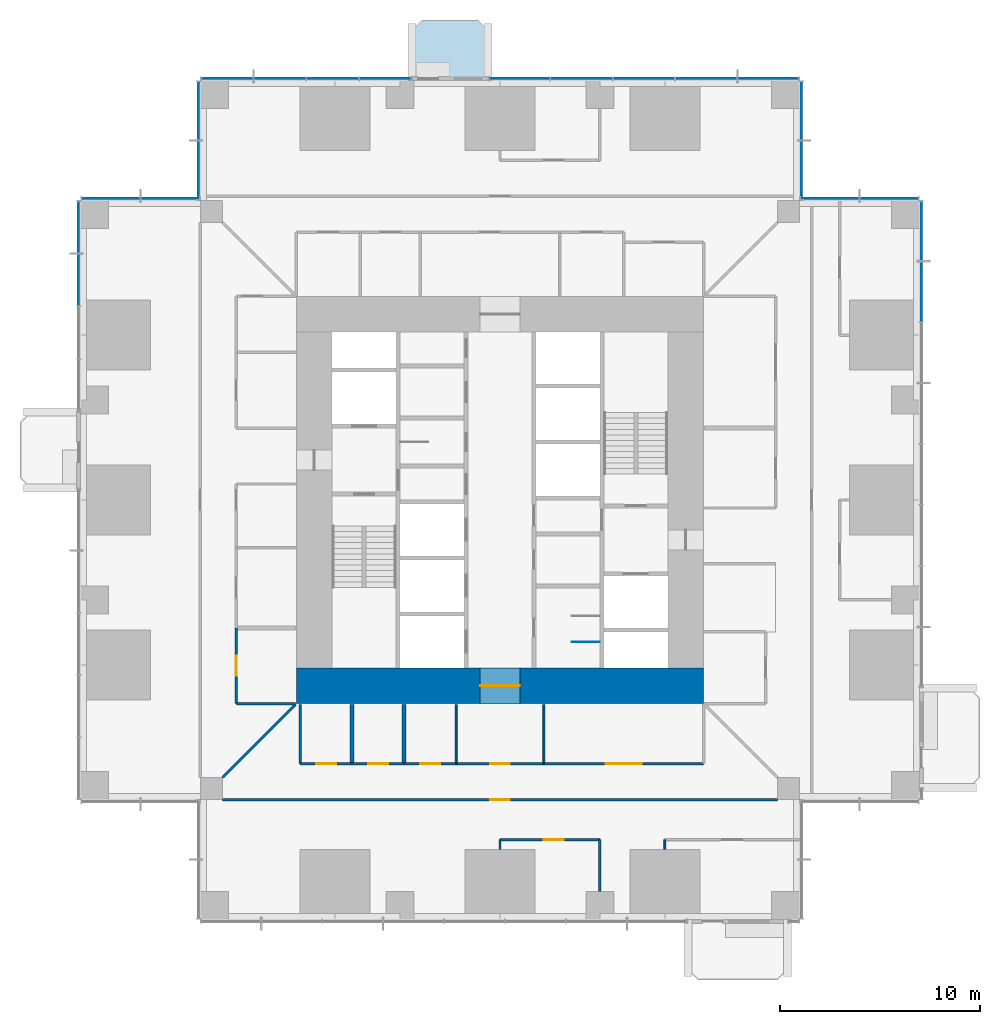
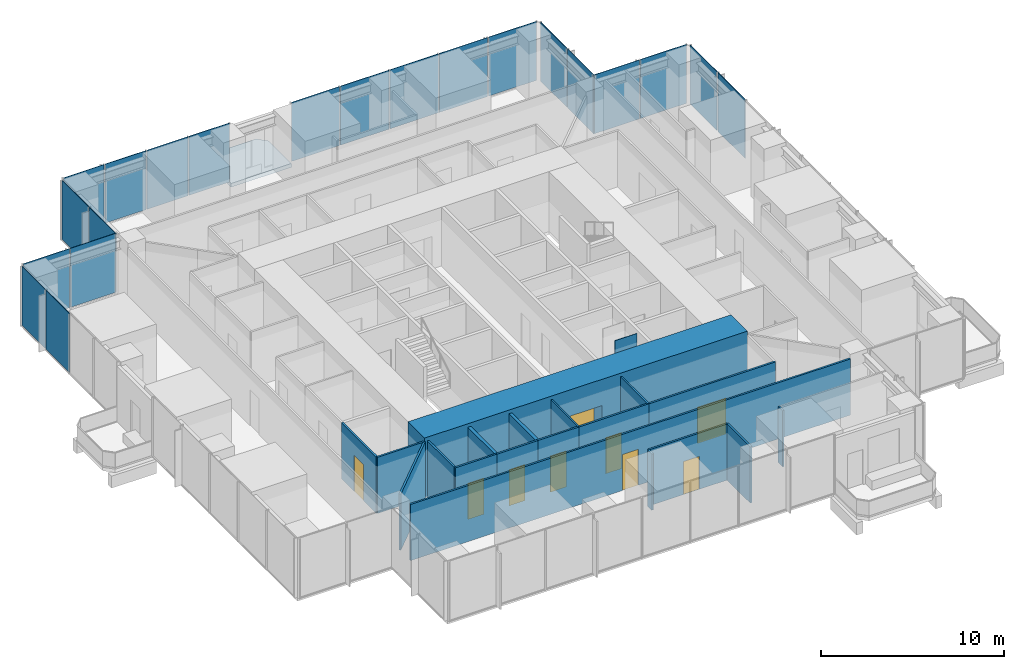
# One storey, part 9 of 15: 21 plates, 20 walls, 9 doors, 1 slab, 9 openings, 8 elements without a shape of their own.
"""IFC4 building model written with IfcOpenShell, lengths in metres."""

from ifc_helpers import new_model, si_unit, direction, frame, frame_2d, origin, origin_2d, place, context, subcontext, project, spatial, polyline, rectangle, outline, extrude, material, layer, layer_set, type_object, element, fill, aggregate, save


model = new_model("IFC4")

# Units and contexts
model_context = context("Model", 3, precision=1e-05, world=origin(), true_north=direction((0.0, 1.0)))
body_context = subcontext(model_context, "Body", "Model", "MODEL_VIEW")
ifc_project = project(units=[si_unit("LENGTHUNIT", "METRE"), si_unit("AREAUNIT", "SQUARE_METRE"), si_unit("VOLUMEUNIT", "CUBIC_METRE"), si_unit("PLANEANGLEUNIT", "RADIAN"), si_unit("MASSUNIT", "GRAM", prefix="KILO")], contexts=[model_context])

# Site, building, storey
site_placement = place(None, origin())
site = spatial("IfcSite", under=ifc_project, at=site_placement, CompositionType="ELEMENT")
building_placement = place(site_placement, origin())
building = spatial("IfcBuilding", under=site, at=building_placement, Name="Svetlomir Tower", CompositionType="ELEMENT")
storey_placement = place(building_placement, frame((0.0, 0.0, 66.5)))
storey = spatial("IfcBuildingStorey", under=building, at=storey_placement, Name="L15", CompositionType="ELEMENT", Elevation=66.5)

# Slab
ifc_material_1 = material(Name="Concrete C60/75", Category="concrete")
ifc_layer_1 = layer(ifc_material_1, 0.25)
ifc_layer_set_1 = layer_set([ifc_layer_1], Name="Concrete C60/75")
slab_type = type_object("IfcSlabType", Name="BALCONY SLAB 250", PredefinedType="FLOOR", material=ifc_layer_set_1)
slab_placement = place(storey_placement, frame((0.0, 0.0, -0.25)))
element("IfcSlab", 1, at=slab_placement, inside=storey, type_object=slab_type, Name="L15 N planted balcony", PredefinedType="FLOOR", context=body_context, shape_type="SweptSolid", body=[
    extrude(outline(polyline([(16.60009765625, 42.0), (20.39990234375, 42.0), (20.39990234375, 44.5), (19.89990234375, 45.0), (17.10009765625, 45.0), (16.60009765625, 44.5), (16.60009765625, 42.0)])), origin(), (0.0, 0.0, 1.0), 0.25),
])

# Curtain wall, plates
ifc_material_2 = material(Name="Bronze anodised aluminium curtain wall", Category="aluminium")
curtain_wall_type = type_object("IfcCurtainWallType", Name="CURTAIN WALL CW1 TOWER OFFICE", PredefinedType="NOTDEFINED", material=ifc_material_2)
curtain_wall_1_placement = place(storey_placement, origin())
curtain_wall_1 = element("IfcCurtainWall", 2, at=curtain_wall_1_placement, inside=storey, type_object=curtain_wall_type, Name="Curtain wall CW1 L15", PredefinedType="NOTDEFINED")
ifc_material_3 = material(Name="Tinted double glazed unit", Category="glass")
ifc_layer_2 = layer(ifc_material_3, 0.031982421875)
ifc_layer_set_2 = layer_set([ifc_layer_2], Name="Tinted double glazed unit")
plate_type = type_object("IfcPlateType", Name="CW1 GLAZED PANEL 32", PredefinedType="CURTAIN_PANEL", material=ifc_layer_set_2)
plate_1_placement = place(storey_placement, frame((42.10009765625, 31.425048828125, 0.06494140625), z_axis=(0.0, 0.0, 1.0), x_axis=(0.0, 1.0, 0.0)))
plate_1 = element("IfcPlate", 3, at=plate_1_placement, type_object=plate_type, Name="CW1 panel 7.1", PredefinedType="CURTAIN_PANEL", context=body_context, shape_type="SweptSolid", body=[
    extrude(rectangle(XDim=2.985107421875, YDim=0.031982421875, at=origin_2d()), origin(), (0.0, 0.0, 1.0), 3.93505859375),
])
plate_2_placement = place(storey_placement, frame((42.10009765625, 34.458740234375, 0.06494140625), z_axis=(0.0, 0.0, 1.0), x_axis=(0.0, 1.0, 0.0)))
plate_2 = element("IfcPlate", 4, at=plate_2_placement, type_object=plate_type, Name="CW1 panel 8.1", PredefinedType="CURTAIN_PANEL", context=body_context, shape_type="SweptSolid", body=[
    extrude(rectangle(XDim=2.952392578125, YDim=0.031982421875, at=origin_2d()), origin(), (0.0, 0.0, 1.0), 3.93505859375),
])
aggregate(curtain_wall_1, [plate_1, plate_2])

curtain_wall_2_placement = place(storey_placement, origin())
curtain_wall_2 = element("IfcCurtainWall", 5, at=curtain_wall_2_placement, inside=storey, type_object=curtain_wall_type, Name="Curtain wall CW1 L15", PredefinedType="NOTDEFINED")
plate_3_placement = place(storey_placement, frame((40.483642578125, 36.10009765625, 0.06494140625), z_axis=(0.0, 0.0, 1.0), x_axis=(-1.0, 0.0, 0.0)))
plate_3 = element("IfcPlate", 6, at=plate_3_placement, type_object=plate_type, Name="CW1 panel 1.1", PredefinedType="CURTAIN_PANEL", context=body_context, shape_type="SweptSolid", body=[
    extrude(rectangle(XDim=2.902587890625, YDim=0.031982421875, at=origin_2d()), origin(), (0.0, 0.0, 1.0), 3.93505859375),
])
plate_4_placement = place(storey_placement, frame((37.516357421875, 36.10009765625, 0.06494140625), z_axis=(0.0, 0.0, 1.0), x_axis=(-1.0, 0.0, 0.0)))
plate_4 = element("IfcPlate", 7, at=plate_4_placement, type_object=plate_type, Name="CW1 panel 2.1", PredefinedType="CURTAIN_PANEL", context=body_context, shape_type="SweptSolid", body=[
    extrude(rectangle(XDim=2.902587890625, YDim=0.031982421875, at=origin_2d()), origin(), (0.0, 0.0, 1.0), 3.93505859375),
])
aggregate(curtain_wall_2, [plate_3, plate_4])

curtain_wall_3_placement = place(storey_placement, origin())
curtain_wall_3 = element("IfcCurtainWall", 8, at=curtain_wall_3_placement, inside=storey, type_object=curtain_wall_type, Name="Curtain wall CW1 L15", PredefinedType="NOTDEFINED")
plate_5_placement = place(storey_placement, frame((36.10009765625, 37.516357421875, 0.06494140625), z_axis=(0.0, 0.0, 1.0), x_axis=(0.0, 1.0, 0.0)))
plate_5 = element("IfcPlate", 9, at=plate_5_placement, type_object=plate_type, Name="CW1 panel 1.1", PredefinedType="CURTAIN_PANEL", context=body_context, shape_type="SweptSolid", body=[
    extrude(rectangle(XDim=2.902587890625, YDim=0.031982421875, at=origin_2d()), origin(), (0.0, 0.0, 1.0), 3.93505859375),
])
plate_6_placement = place(storey_placement, frame((36.10009765625, 40.483642578125, 0.06494140625), z_axis=(0.0, 0.0, 1.0), x_axis=(0.0, 1.0, 0.0)))
plate_6 = element("IfcPlate", 10, at=plate_6_placement, type_object=plate_type, Name="CW1 panel 2.1", PredefinedType="CURTAIN_PANEL", context=body_context, shape_type="SweptSolid", body=[
    extrude(rectangle(XDim=2.902587890625, YDim=0.031982421875, at=origin_2d()), origin(), (0.0, 0.0, 1.0), 3.93505859375),
])
aggregate(curtain_wall_3, [plate_5, plate_6])

curtain_wall_4_placement = place(storey_placement, origin())
curtain_wall_4 = element("IfcCurtainWall", 11, at=curtain_wall_4_placement, inside=storey, type_object=curtain_wall_type, Name="Curtain wall CW1 L15", PredefinedType="NOTDEFINED")
plate_7_placement = place(storey_placement, frame((34.423828125, 42.10009765625, 0.06494140625), z_axis=(0.0, 0.0, 1.0), x_axis=(-1.0, 0.0, 0.0)))
plate_7 = element("IfcPlate", 12, at=plate_7_placement, type_object=plate_type, Name="CW1 panel 1.1", PredefinedType="CURTAIN_PANEL", context=body_context, shape_type="SweptSolid", body=[
    extrude(rectangle(XDim=3.0224609375, YDim=0.031982421875, at=origin_2d()), origin(), (0.0, 0.0, 1.0), 3.93505859375),
])
plate_8_placement = place(storey_placement, frame((31.320068359375, 42.10009765625, 0.06494140625), z_axis=(0.0, 0.0, 1.0), x_axis=(-1.0, 0.0, 0.0)))
plate_8 = element("IfcPlate", 13, at=plate_8_placement, type_object=plate_type, Name="CW1 panel 2.1", PredefinedType="CURTAIN_PANEL", context=body_context, shape_type="SweptSolid", body=[
    extrude(rectangle(XDim=3.054931640625, YDim=0.031982421875, at=origin_2d()), origin(), (0.0, 0.0, 1.0), 3.93505859375),
])
plate_9_placement = place(storey_placement, frame((28.199951171875, 42.10009765625, 0.06494140625), z_axis=(0.0, 0.0, 1.0), x_axis=(-1.0, 0.0, 0.0)))
plate_9 = element("IfcPlate", 14, at=plate_9_placement, type_object=plate_type, Name="CW1 panel 3.1", PredefinedType="CURTAIN_PANEL", context=body_context, shape_type="SweptSolid", body=[
    extrude(rectangle(XDim=3.054931640625, YDim=0.031982421875, at=origin_2d()), origin(), (0.0, 0.0, 1.0), 3.93505859375),
])
plate_10_placement = place(storey_placement, frame((25.080078125, 42.10009765625, 0.06494140625), z_axis=(0.0, 0.0, 1.0), x_axis=(-1.0, 0.0, 0.0)))
plate_10 = element("IfcPlate", 15, at=plate_10_placement, type_object=plate_type, Name="CW1 panel 4.1", PredefinedType="CURTAIN_PANEL", context=body_context, shape_type="SweptSolid", body=[
    extrude(rectangle(XDim=3.054931640625, YDim=0.031982421875, at=origin_2d()), origin(), (0.0, 0.0, 1.0), 3.93505859375),
])
plate_11_placement = place(storey_placement, frame((21.976318359375, 42.10009765625, 0.06494140625), z_axis=(0.0, 0.0, 1.0), x_axis=(-1.0, 0.0, 0.0)))
plate_11 = element("IfcPlate", 16, at=plate_11_placement, type_object=plate_type, Name="CW1 panel 5.1", PredefinedType="CURTAIN_PANEL", context=body_context, shape_type="SweptSolid", body=[
    extrude(rectangle(XDim=3.0224609375, YDim=0.031982421875, at=origin_2d()), origin(), (0.0, 0.0, 1.0), 3.93505859375),
])
aggregate(curtain_wall_4, [plate_7, plate_8, plate_9, plate_10, plate_11])

curtain_wall_5_placement = place(storey_placement, origin())
curtain_wall_5 = element("IfcCurtainWall", 17, at=curtain_wall_5_placement, inside=storey, type_object=curtain_wall_type, Name="Curtain wall CW1 L15", PredefinedType="NOTDEFINED")
plate_12_placement = place(storey_placement, frame((15.2587890625, 42.10009765625, 0.06494140625), z_axis=(0.0, 0.0, 1.0), x_axis=(-1.0, 0.0, 0.0)))
plate_12 = element("IfcPlate", 18, at=plate_12_placement, type_object=plate_type, Name="CW1 panel 1.1", PredefinedType="CURTAIN_PANEL", context=body_context, shape_type="SweptSolid", body=[
    extrude(rectangle(XDim=2.552490234375, YDim=0.031982421875, at=origin_2d()), origin(), (0.0, 0.0, 1.0), 3.93505859375),
])
plate_13_placement = place(storey_placement, frame((12.625, 42.10009765625, 0.06494140625), z_axis=(0.0, 0.0, 1.0), x_axis=(-1.0, 0.0, 0.0)))
plate_13 = element("IfcPlate", 19, at=plate_13_placement, type_object=plate_type, Name="CW1 panel 2.1", PredefinedType="CURTAIN_PANEL", context=body_context, shape_type="SweptSolid", body=[
    extrude(rectangle(XDim=2.5849609375, YDim=0.031982421875, at=origin_2d()), origin(), (0.0, 0.0, 1.0), 3.93505859375),
])
plate_14_placement = place(storey_placement, frame((9.97509765625, 42.10009765625, 0.06494140625), z_axis=(0.0, 0.0, 1.0), x_axis=(-1.0, 0.0, 0.0)))
plate_14 = element("IfcPlate", 20, at=plate_14_placement, type_object=plate_type, Name="CW1 panel 3.1", PredefinedType="CURTAIN_PANEL", context=body_context, shape_type="SweptSolid", body=[
    extrude(rectangle(XDim=2.5849609375, YDim=0.031982421875, at=origin_2d()), origin(), (0.0, 0.0, 1.0), 3.93505859375),
])
plate_15_placement = place(storey_placement, frame((7.34130859375, 42.10009765625, 0.06494140625), z_axis=(0.0, 0.0, 1.0), x_axis=(-1.0, 0.0, 0.0)))
plate_15 = element("IfcPlate", 21, at=plate_15_placement, type_object=plate_type, Name="CW1 panel 4.1", PredefinedType="CURTAIN_PANEL", context=body_context, shape_type="SweptSolid", body=[
    extrude(rectangle(XDim=2.552490234375, YDim=0.031982421875, at=origin_2d()), origin(), (0.0, 0.0, 1.0), 3.93505859375),
])
aggregate(curtain_wall_5, [plate_12, plate_13, plate_14, plate_15])

curtain_wall_6_placement = place(storey_placement, origin())
curtain_wall_6 = element("IfcCurtainWall", 22, at=curtain_wall_6_placement, inside=storey, type_object=curtain_wall_type, Name="Curtain wall CW1 L15", PredefinedType="NOTDEFINED")
plate_16_placement = place(storey_placement, frame((5.89990234375, 40.483642578125, 0.06494140625), z_axis=(0.0, 0.0, 1.0), x_axis=(0.0, -1.0, 0.0)))
plate_16 = element("IfcPlate", 23, at=plate_16_placement, type_object=plate_type, Name="CW1 panel 1.1", PredefinedType="CURTAIN_PANEL", context=body_context, shape_type="SweptSolid", body=[
    extrude(rectangle(XDim=2.902587890625, YDim=0.031982421875, at=origin_2d()), origin(), (0.0, 0.0, 1.0), 3.93505859375),
])
plate_17_placement = place(storey_placement, frame((5.89990234375, 37.516357421875, 0.06494140625), z_axis=(0.0, 0.0, 1.0), x_axis=(0.0, -1.0, 0.0)))
plate_17 = element("IfcPlate", 24, at=plate_17_placement, type_object=plate_type, Name="CW1 panel 2.1", PredefinedType="CURTAIN_PANEL", context=body_context, shape_type="SweptSolid", body=[
    extrude(rectangle(XDim=2.902587890625, YDim=0.031982421875, at=origin_2d()), origin(), (0.0, 0.0, 1.0), 3.93505859375),
])
aggregate(curtain_wall_6, [plate_16, plate_17])

curtain_wall_7_placement = place(storey_placement, origin())
curtain_wall_7 = element("IfcCurtainWall", 25, at=curtain_wall_7_placement, inside=storey, type_object=curtain_wall_type, Name="Curtain wall CW1 L15", PredefinedType="NOTDEFINED")
plate_18_placement = place(storey_placement, frame((4.483642578125, 36.10009765625, 0.06494140625), z_axis=(0.0, 0.0, 1.0), x_axis=(-1.0, 0.0, 0.0)))
plate_18 = element("IfcPlate", 26, at=plate_18_placement, type_object=plate_type, Name="CW1 panel 1.1", PredefinedType="CURTAIN_PANEL", context=body_context, shape_type="SweptSolid", body=[
    extrude(rectangle(XDim=2.902587890625, YDim=0.031982421875, at=origin_2d()), origin(), (0.0, 0.0, 1.0), 3.93505859375),
])
plate_19_placement = place(storey_placement, frame((1.516357421875, 36.10009765625, 0.06494140625), z_axis=(0.0, 0.0, 1.0), x_axis=(-1.0, 0.0, 0.0)))
plate_19 = element("IfcPlate", 27, at=plate_19_placement, type_object=plate_type, Name="CW1 panel 2.1", PredefinedType="CURTAIN_PANEL", context=body_context, shape_type="SweptSolid", body=[
    extrude(rectangle(XDim=2.902587890625, YDim=0.031982421875, at=origin_2d()), origin(), (0.0, 0.0, 1.0), 3.93505859375),
])
aggregate(curtain_wall_7, [plate_18, plate_19])

curtain_wall_8_placement = place(storey_placement, origin())
curtain_wall_8 = element("IfcCurtainWall", 28, at=curtain_wall_8_placement, inside=storey, type_object=curtain_wall_type, Name="Curtain wall CW1 L15", PredefinedType="NOTDEFINED")
plate_20_placement = place(storey_placement, frame((-0.10009765625, 34.65869140625, 0.06494140625), z_axis=(0.0, 0.0, 1.0), x_axis=(0.0, -1.0, 0.0)))
plate_20 = element("IfcPlate", 29, at=plate_20_placement, type_object=plate_type, Name="CW1 panel 1.1", PredefinedType="CURTAIN_PANEL", context=body_context, shape_type="SweptSolid", body=[
    extrude(rectangle(XDim=2.552490234375, YDim=0.031982421875, at=origin_2d()), origin(), (0.0, 0.0, 1.0), 3.93505859375),
])
plate_21_placement = place(storey_placement, frame((-0.10009765625, 32.02490234375, 0.06494140625), z_axis=(0.0, 0.0, 1.0), x_axis=(0.0, -1.0, 0.0)))
plate_21 = element("IfcPlate", 30, at=plate_21_placement, type_object=plate_type, Name="CW1 panel 2.1", PredefinedType="CURTAIN_PANEL", context=body_context, shape_type="SweptSolid", body=[
    extrude(rectangle(XDim=2.5849609375, YDim=0.031982421875, at=origin_2d()), origin(), (0.0, 0.0, 1.0), 3.93505859375),
])
aggregate(curtain_wall_8, [plate_20, plate_21])

# Walls
ifc_material_4 = material(Name="Gypsum board on twin steel studs", Category="steel")
ifc_layer_3 = layer(ifc_material_4, 0.199951171875)
ifc_layer_set_3 = layer_set([ifc_layer_3], Name="Gypsum board on twin steel studs")
wall_type_1 = type_object("IfcWallType", Name="ACOUSTIC PARTITION 200", PredefinedType="PARTITIONING", material=ifc_layer_set_3)
for number, where, z_axis, x_axis, name in (
    (31, (13.60009765625, 7.800048828125, 0.0), (0.0, 0.0, 1.0), (0.0, 1.0, 0.0), "Acoustic partition L15"),
    (32, (16.199951171875, 7.800048828125, 0.0), (0.0, 0.0, 1.0), (0.0, 1.0, 0.0), "Acoustic partition L15"),
):
    element("IfcWall", number, at=place(storey_placement, frame(where, z_axis=z_axis, x_axis=x_axis)), inside=storey, type_object=wall_type_1, Name=name, PredefinedType="PARTITIONING", context=body_context, shape_type="SweptSolid", body=[
        extrude(rectangle(XDim=2.949951171875, YDim=0.199951171875, at=frame_2d((1.47509765625, 0.0))), origin(), (0.0, 0.0, 1.0), 3.75),
    ])

# Wall, opening, door
ifc_material_5 = material(Name="Concrete C60/75", Category="concrete")
ifc_layer_4 = layer(ifc_material_5, 1.800048828125)
ifc_layer_set_4 = layer_set([ifc_layer_4], Name="Concrete C60/75")
wall_type_2 = type_object("IfcWallType", Name="CORE WALL 1800", PredefinedType="SHEAR", material=ifc_layer_set_4)
wall_1_placement = place(storey_placement, frame((10.800048828125, 11.699951171875, -0.050048828125), z_axis=(0.0, 0.0, 1.0), x_axis=(1.0, 0.0, 0.0)))
wall_1 = element("IfcWall", 33, at=wall_1_placement, inside=storey, type_object=wall_type_2, Name="Core wall south L15", PredefinedType="SHEAR", context=body_context, shape_type="SweptSolid", body=[
    extrude(rectangle(XDim=20.39990234375, YDim=1.800048828125, at=frame_2d((10.199951171875, 0.0))), origin(), (0.0, 0.0, 1.0), 4.0),
])
opening_1_placement = place(wall_1_placement, frame((9.199951171875, 0.0, 0.050048828125)))
opening_1 = element("IfcOpeningElement", 34, at=opening_1_placement, cuts=wall_1, Name="Opening DL", PredefinedType="OPENING", context=body_context, shape_type="SweptSolid", body=[
    extrude(rectangle(XDim=2.0, YDim=2.199951171875, at=frame_2d((1.0, 1.10009765625))), frame((0.0, 0.91015625, 0.0), z_axis=(0.0, -1.0, 0.0), x_axis=(1.0, 0.0, 0.0)), (0.0, 0.0, 1.0), 1.820068359375),
])
ifc_material_6 = material(Name="Steel fire door", Category="steel")
door_type_1 = type_object("IfcDoorType", Name="DOOR DL 2000x2200", OperationType="DOUBLE_DOOR_SINGLE_SWING", PredefinedType="DOOR", material=ifc_material_6)
door_1_placement = place(opening_1_placement, origin())
door_1 = element("IfcDoor", 35, at=door_1_placement, inside=storey, type_object=door_type_1, Name="Lift lobby south door L15", OperationType="DOUBLE_DOOR_SINGLE_SWING", OverallHeight=2.199951171875, OverallWidth=2.0, PredefinedType="DOOR", context=body_context, shape_type="SweptSolid", body=[
    extrude(rectangle(XDim=2.0, YDim=2.199951171875, at=frame_2d((1.0, 1.10009765625))), frame((0.0, 0.02490234375, 0.0), z_axis=(0.0, -1.0, 0.0), x_axis=(1.0, 0.0, 0.0)), (0.0, 0.0, 1.0), 0.050048828125),
])
fill(opening_1, door_1)

# Walls
ifc_material_7 = material(Name="Framed laminated glass partition", Category="glass")
ifc_layer_5 = layer(ifc_material_7, 0.10009765625)
ifc_layer_set_5 = layer_set([ifc_layer_5], Name="Framed laminated glass partition")
wall_type_3 = type_object("IfcWallType", Name="GLAZED PARTITION 100", PredefinedType="PARTITIONING", material=ifc_layer_set_5)
for number, where, z_axis, x_axis, name in (
    (36, (18.800048828125, 7.800048828125, 0.0), (0.0, 0.0, 1.0), (0.0, 1.0, 0.0), "Glazed partition L15"),
    (37, (23.199951171875, 7.800048828125, 0.0), (0.0, 0.0, 1.0), (0.0, 1.0, 0.0), "Glazed partition L15"),
):
    element("IfcWall", number, at=place(storey_placement, frame(where, z_axis=z_axis, x_axis=x_axis)), inside=storey, type_object=wall_type_3, Name=name, PredefinedType="PARTITIONING", context=body_context, shape_type="SweptSolid", body=[
        extrude(rectangle(XDim=2.949951171875, YDim=0.10009765625, at=frame_2d((1.47509765625, 0.0))), origin(), (0.0, 0.0, 1.0), 3.75),
    ])
wall_2_placement = place(storey_placement, frame((29.25, 3.510009765625, 0.0), z_axis=(0.0, 0.0, 1.0), x_axis=(0.0, 1.0, 0.0)))
element("IfcWall", 38, at=wall_2_placement, inside=storey, type_object=wall_type_3, Name="Glazed partition L15", PredefinedType="PARTITIONING", context=body_context, shape_type="SweptSolid", body=[
    extrude(rectangle(XDim=0.489990234375, YDim=0.10009765625, at=frame_2d((0.2451171875, 0.0))), origin(), (0.0, 0.0, 1.0), 3.75),
])

# Wall, opening, door
ifc_material_8 = material(Name="Gypsum board on steel studs", Category="steel")
ifc_layer_6 = layer(ifc_material_8, 0.1201171875)
ifc_layer_set_6 = layer_set([ifc_layer_6], Name="Gypsum board on steel studs")
wall_type_4 = type_object("IfcWallType", Name="PARTITION 120", PredefinedType="PARTITIONING", material=ifc_layer_set_6)
wall_3_placement = place(storey_placement, frame((7.110107421875, 6.0, 0.0), z_axis=(0.0, 0.0, 1.0), x_axis=(1.0, 0.0, 0.0)))
wall_3 = element("IfcWall", 39, at=wall_3_placement, inside=storey, type_object=wall_type_4, Name="Partition L15", PredefinedType="PARTITIONING", context=body_context, shape_type="SweptSolid", body=[
    extrude(rectangle(XDim=27.77978515625, YDim=0.1201171875, at=frame_2d((13.889892578125, 0.0))), origin(), (0.0, 0.0, 1.0), 3.75),
])
opening_2_placement = place(wall_3_placement, frame((13.389892578125, 0.0, 0.0)))
opening_2 = element("IfcOpeningElement", 40, at=opening_2_placement, cuts=wall_3, Name="Opening DG", PredefinedType="OPENING", context=body_context, shape_type="SweptSolid", body=[
    extrude(rectangle(XDim=1.0, YDim=2.39990234375, at=frame_2d((0.5, 1.199951171875))), frame((0.0, 0.070068359375, 0.0), z_axis=(0.0, -1.0, 0.0), x_axis=(1.0, 0.0, 0.0)), (0.0, 0.0, 1.0), 0.14013671875),
])
ifc_material_9 = material(Name="Framed laminated glass door", Category="glass")
door_type_2 = type_object("IfcDoorType", Name="GLAZED DOOR DG 1000x2400", OperationType="SINGLE_SWING_LEFT", PredefinedType="DOOR", material=ifc_material_9)
door_2_placement = place(opening_2_placement, origin())
door_2 = element("IfcDoor", 41, at=door_2_placement, inside=storey, type_object=door_type_2, Name="Ring corridor 1 door 1 L15", OperationType="SINGLE_SWING_LEFT", OverallHeight=2.39990234375, OverallWidth=1.0, PredefinedType="DOOR", context=body_context, shape_type="SweptSolid", body=[
    extrude(rectangle(XDim=1.0, YDim=2.39990234375, at=frame_2d((0.5, 1.199951171875))), frame((0.0, 0.02490234375, 0.0), z_axis=(0.0, -1.0, 0.0), x_axis=(1.0, 0.0, 0.0)), (0.0, 0.0, 1.0), 0.050048828125),
])
fill(opening_2, door_2)

# Wall
wall_4_placement = place(storey_placement, frame((7.110107421875, 7.110107421875, 0.0), z_axis=(0.0, 0.0, 1.0), x_axis=(0.707106781187, 0.707106781187, 0.0)))
element("IfcWall", 42, at=wall_4_placement, inside=storey, type_object=wall_type_4, Name="Partition L15", PredefinedType="PARTITIONING", context=body_context, shape_type="SweptSolid", body=[
    extrude(rectangle(XDim=5.168212890625, YDim=0.1201171875, at=frame_2d((2.583984375, 0.0))), origin(), (0.0, 0.0, 1.0), 3.75),
])

# Wall, opening, door
wall_5_placement = place(storey_placement, frame((7.800048828125, 10.800048828125, 0.0), z_axis=(0.0, 0.0, 1.0), x_axis=(0.0, 1.0, 0.0)))
wall_5 = element("IfcWall", 43, at=wall_5_placement, inside=storey, type_object=wall_type_4, Name="Partition L15", PredefinedType="PARTITIONING", context=body_context, shape_type="SweptSolid", body=[
    extrude(rectangle(XDim=3.800048828125, YDim=0.1201171875, at=frame_2d((1.89990234375, 0.0))), origin(), (0.0, 0.0, 1.0), 3.75),
])
opening_3_placement = place(wall_5_placement, frame((1.39990234375, 0.0, 0.0)))
opening_3 = element("IfcOpeningElement", 44, at=opening_3_placement, cuts=wall_5, Name="Opening DG", PredefinedType="OPENING", context=body_context, shape_type="SweptSolid", body=[
    extrude(rectangle(XDim=1.0, YDim=2.39990234375, at=frame_2d((0.5, 1.199951171875))), frame((0.0, 0.070068359375, 0.0), z_axis=(0.0, -1.0, 0.0), x_axis=(1.0, 0.0, 0.0)), (0.0, 0.0, 1.0), 0.14013671875),
])
door_3_placement = place(opening_3_placement, origin())
door_3 = element("IfcDoor", 45, at=door_3_placement, inside=storey, type_object=door_type_2, Name="Counselling room door L15", OperationType="SINGLE_SWING_RIGHT", OverallHeight=2.39990234375, OverallWidth=1.0, PredefinedType="DOOR", context=body_context, shape_type="SweptSolid", body=[
    extrude(rectangle(XDim=1.0, YDim=2.39990234375, at=frame_2d((0.5, 1.199951171875))), frame((0.0, 0.02490234375, 0.0), z_axis=(0.0, -1.0, 0.0), x_axis=(1.0, 0.0, 0.0)), (0.0, 0.0, 1.0), 0.050048828125),
])
fill(opening_3, door_3)

# Walls
for number, where, z_axis, x_axis, name in (
    (46, (7.800048828125, 10.800048828125, 0.0), (0.0, 0.0, 1.0), (1.0, 0.0, 0.0), "Partition L15"),
    (47, (11.0, 7.800048828125, 0.0), (0.0, 0.0, 1.0), (0.0, 1.0, 0.0), "Partition L15"),
):
    element("IfcWall", number, at=place(storey_placement, frame(where, z_axis=z_axis, x_axis=x_axis)), inside=storey, type_object=wall_type_4, Name=name, PredefinedType="PARTITIONING", context=body_context, shape_type="SweptSolid", body=[
        extrude(rectangle(XDim=2.949951171875, YDim=0.1201171875, at=frame_2d((1.47509765625, 0.0))), origin(), (0.0, 0.0, 1.0), 3.75),
    ])

# Wall, opening, door
wall_6_placement = place(storey_placement, frame((11.0, 7.800048828125, 0.0), z_axis=(0.0, 0.0, 1.0), x_axis=(1.0, 0.0, 0.0)))
wall_6 = element("IfcWall", 48, at=wall_6_placement, inside=storey, type_object=wall_type_4, Name="Partition L15", PredefinedType="PARTITIONING", context=body_context, shape_type="SweptSolid", body=[
    extrude(rectangle(XDim=2.60009765625, YDim=0.1201171875, at=frame_2d((1.300048828125, 0.0))), origin(), (0.0, 0.0, 1.0), 3.75),
])
opening_4_placement = place(wall_6_placement, frame((0.800048828125, 0.0, 0.0)))
opening_4 = element("IfcOpeningElement", 49, at=opening_4_placement, cuts=wall_6, Name="Opening DG", PredefinedType="OPENING", context=body_context, shape_type="SweptSolid", body=[
    extrude(rectangle(XDim=1.0, YDim=2.39990234375, at=frame_2d((0.5, 1.199951171875))), frame((0.0, 0.070068359375, 0.0), z_axis=(0.0, -1.0, 0.0), x_axis=(1.0, 0.0, 0.0)), (0.0, 0.0, 1.0), 0.14013671875),
])
door_4_placement = place(opening_4_placement, origin())
door_4 = element("IfcDoor", 50, at=door_4_placement, inside=storey, type_object=door_type_2, Name="Interview room 1 door L15", OperationType="SINGLE_SWING_RIGHT", OverallHeight=2.39990234375, OverallWidth=1.0, PredefinedType="DOOR", context=body_context, shape_type="SweptSolid", body=[
    extrude(rectangle(XDim=1.0, YDim=2.39990234375, at=frame_2d((0.5, 1.199951171875))), frame((0.0, 0.02490234375, 0.0), z_axis=(0.0, -1.0, 0.0), x_axis=(1.0, 0.0, 0.0)), (0.0, 0.0, 1.0), 0.050048828125),
])
fill(opening_4, door_4)

wall_7_placement = place(storey_placement, frame((13.60009765625, 7.800048828125, 0.0), z_axis=(0.0, 0.0, 1.0), x_axis=(1.0, 0.0, 0.0)))
wall_7 = element("IfcWall", 51, at=wall_7_placement, inside=storey, type_object=wall_type_4, Name="Partition L15", PredefinedType="PARTITIONING", context=body_context, shape_type="SweptSolid", body=[
    extrude(rectangle(XDim=2.599853515625, YDim=0.1201171875, at=frame_2d((1.2998046875, 0.0))), origin(), (0.0, 0.0, 1.0), 3.75),
])
opening_5_placement = place(wall_7_placement, frame((0.800048828125, 0.0, 0.0)))
opening_5 = element("IfcOpeningElement", 52, at=opening_5_placement, cuts=wall_7, Name="Opening DG", PredefinedType="OPENING", context=body_context, shape_type="SweptSolid", body=[
    extrude(rectangle(XDim=1.0, YDim=2.39990234375, at=frame_2d((0.5, 1.199951171875))), frame((0.0, 0.070068359375, 0.0), z_axis=(0.0, -1.0, 0.0), x_axis=(1.0, 0.0, 0.0)), (0.0, 0.0, 1.0), 0.14013671875),
])
door_5_placement = place(opening_5_placement, origin())
door_5 = element("IfcDoor", 53, at=door_5_placement, inside=storey, type_object=door_type_2, Name="Interview room 2 door L15", OperationType="SINGLE_SWING_LEFT", OverallHeight=2.39990234375, OverallWidth=1.0, PredefinedType="DOOR", context=body_context, shape_type="SweptSolid", body=[
    extrude(rectangle(XDim=1.0, YDim=2.39990234375, at=frame_2d((0.5, 1.199951171875))), frame((0.0, 0.02490234375, 0.0), z_axis=(0.0, -1.0, 0.0), x_axis=(1.0, 0.0, 0.0)), (0.0, 0.0, 1.0), 0.050048828125),
])
fill(opening_5, door_5)

wall_8_placement = place(storey_placement, frame((16.199951171875, 7.800048828125, 0.0), z_axis=(0.0, 0.0, 1.0), x_axis=(1.0, 0.0, 0.0)))
wall_8 = element("IfcWall", 54, at=wall_8_placement, inside=storey, type_object=wall_type_4, Name="Partition L15", PredefinedType="PARTITIONING", context=body_context, shape_type="SweptSolid", body=[
    extrude(rectangle(XDim=2.60009765625, YDim=0.1201171875, at=frame_2d((1.300048828125, 0.0))), origin(), (0.0, 0.0, 1.0), 3.75),
])
opening_6_placement = place(wall_8_placement, frame((0.800048828125, 0.0, 0.0)))
opening_6 = element("IfcOpeningElement", 55, at=opening_6_placement, cuts=wall_8, Name="Opening DG", PredefinedType="OPENING", context=body_context, shape_type="SweptSolid", body=[
    extrude(rectangle(XDim=1.0, YDim=2.39990234375, at=frame_2d((0.5, 1.199951171875))), frame((0.0, 0.070068359375, 0.0), z_axis=(0.0, -1.0, 0.0), x_axis=(1.0, 0.0, 0.0)), (0.0, 0.0, 1.0), 0.14013671875),
])
door_6_placement = place(opening_6_placement, origin())
door_6 = element("IfcDoor", 56, at=door_6_placement, inside=storey, type_object=door_type_2, Name="Interview room 3 door L15", OperationType="SINGLE_SWING_LEFT", OverallHeight=2.39990234375, OverallWidth=1.0, PredefinedType="DOOR", context=body_context, shape_type="SweptSolid", body=[
    extrude(rectangle(XDim=1.0, YDim=2.39990234375, at=frame_2d((0.5, 1.199951171875))), frame((0.0, 0.02490234375, 0.0), z_axis=(0.0, -1.0, 0.0), x_axis=(1.0, 0.0, 0.0)), (0.0, 0.0, 1.0), 0.050048828125),
])
fill(opening_6, door_6)

wall_9_placement = place(storey_placement, frame((18.800048828125, 7.800048828125, 0.0), z_axis=(0.0, 0.0, 1.0), x_axis=(1.0, 0.0, 0.0)))
wall_9 = element("IfcWall", 57, at=wall_9_placement, inside=storey, type_object=wall_type_4, Name="Partition L15", PredefinedType="PARTITIONING", context=body_context, shape_type="SweptSolid", body=[
    extrude(rectangle(XDim=4.39990234375, YDim=0.1201171875, at=frame_2d((2.199951171875, 0.0))), origin(), (0.0, 0.0, 1.0), 3.75),
])
opening_7_placement = place(wall_9_placement, frame((1.699951171875, 0.0, 0.0)))
opening_7 = element("IfcOpeningElement", 58, at=opening_7_placement, cuts=wall_9, Name="Opening DG", PredefinedType="OPENING", context=body_context, shape_type="SweptSolid", body=[
    extrude(rectangle(XDim=1.0, YDim=2.39990234375, at=frame_2d((0.5, 1.199951171875))), frame((0.0, 0.070068359375, 0.0), z_axis=(0.0, -1.0, 0.0), x_axis=(1.0, 0.0, 0.0)), (0.0, 0.0, 1.0), 0.14013671875),
])
door_7_placement = place(opening_7_placement, origin())
door_7 = element("IfcDoor", 59, at=door_7_placement, inside=storey, type_object=door_type_2, Name="Ring corridor 1 door 2 L15", OperationType="SINGLE_SWING_RIGHT", OverallHeight=2.39990234375, OverallWidth=1.0, PredefinedType="DOOR", context=body_context, shape_type="SweptSolid", body=[
    extrude(rectangle(XDim=1.0, YDim=2.39990234375, at=frame_2d((0.5, 1.199951171875))), frame((0.0, 0.02490234375, 0.0), z_axis=(0.0, -1.0, 0.0), x_axis=(1.0, 0.0, 0.0)), (0.0, 0.0, 1.0), 0.050048828125),
])
fill(opening_7, door_7)

# Wall
wall_10_placement = place(storey_placement, frame((21.0, 3.510009765625, 0.0), z_axis=(0.0, 0.0, 1.0), x_axis=(0.0, 1.0, 0.0)))
element("IfcWall", 60, at=wall_10_placement, inside=storey, type_object=wall_type_4, Name="Partition L15", PredefinedType="PARTITIONING", context=body_context, shape_type="SweptSolid", body=[
    extrude(rectangle(XDim=0.489990234375, YDim=0.1201171875, at=frame_2d((0.2451171875, 0.0))), origin(), (0.0, 0.0, 1.0), 3.75),
])

# Wall, opening, door
wall_11_placement = place(storey_placement, frame((21.0, 4.0, 0.0), z_axis=(0.0, 0.0, 1.0), x_axis=(1.0, 0.0, 0.0)))
wall_11 = element("IfcWall", 61, at=wall_11_placement, inside=storey, type_object=wall_type_4, Name="Partition L15", PredefinedType="PARTITIONING", context=body_context, shape_type="SweptSolid", body=[
    extrude(rectangle(XDim=5.0, YDim=0.1201171875, at=frame_2d((2.5, 0.0))), origin(), (0.0, 0.0, 1.0), 3.75),
])
opening_8_placement = place(wall_11_placement, frame((2.199951171875, 0.0, 0.0)))
opening_8 = element("IfcOpeningElement", 62, at=opening_8_placement, cuts=wall_11, Name="Opening DR", PredefinedType="OPENING", context=body_context, shape_type="SweptSolid", body=[
    extrude(rectangle(XDim=1.0, YDim=2.199951171875, at=frame_2d((0.5, 1.10009765625))), frame((0.0, 0.070068359375, 0.0), z_axis=(0.0, -1.0, 0.0), x_axis=(1.0, 0.0, 0.0)), (0.0, 0.0, 1.0), 0.14013671875),
])
ifc_material_10 = material(Name="Timber door, glazed side light", Category="wood")
door_type_3 = type_object("IfcDoorType", Name="DOOR DR 1000x2200", OperationType="SINGLE_SWING_LEFT", PredefinedType="DOOR", material=ifc_material_10)
door_8_placement = place(opening_8_placement, origin())
door_8 = element("IfcDoor", 63, at=door_8_placement, inside=storey, type_object=door_type_3, Name="Recruitment team office door L15", OperationType="SINGLE_SWING_LEFT", OverallHeight=2.199951171875, OverallWidth=1.0, PredefinedType="DOOR", context=body_context, shape_type="SweptSolid", body=[
    extrude(rectangle(XDim=1.0, YDim=2.199951171875, at=frame_2d((0.5, 1.10009765625))), frame((0.0, 0.02490234375, 0.0), z_axis=(0.0, -1.0, 0.0), x_axis=(1.0, 0.0, 0.0)), (0.0, 0.0, 1.0), 0.050048828125),
])
fill(opening_8, door_8)

wall_12_placement = place(storey_placement, frame((23.199951171875, 7.800048828125, 0.0), z_axis=(0.0, 0.0, 1.0), x_axis=(1.0, 0.0, 0.0)))
wall_12 = element("IfcWall", 64, at=wall_12_placement, inside=storey, type_object=wall_type_4, Name="Partition L15", PredefinedType="PARTITIONING", context=body_context, shape_type="SweptSolid", body=[
    extrude(rectangle(XDim=8.0, YDim=0.1201171875, at=frame_2d((4.0, 0.0))), origin(), (0.0, 0.0, 1.0), 3.75),
])
opening_9_placement = place(wall_12_placement, frame((3.10009765625, 0.0, 0.0)))
opening_9 = element("IfcOpeningElement", 65, at=opening_9_placement, cuts=wall_12, Name="Opening DD", PredefinedType="OPENING", context=body_context, shape_type="SweptSolid", body=[
    extrude(rectangle(XDim=1.800048828125, YDim=2.39990234375, at=frame_2d((0.89990234375, 1.199951171875))), frame((0.0, 0.070068359375, 0.0), z_axis=(0.0, -1.0, 0.0), x_axis=(1.0, 0.0, 0.0)), (0.0, 0.0, 1.0), 0.14013671875),
])
ifc_material_11 = material(Name="Timber door", Category="wood")
door_type_4 = type_object("IfcDoorType", Name="DOOR DD 1800x2400", OperationType="DOUBLE_DOOR_SINGLE_SWING", PredefinedType="DOOR", material=ifc_material_11)
door_9_placement = place(opening_9_placement, origin())
door_9 = element("IfcDoor", 66, at=door_9_placement, inside=storey, type_object=door_type_4, Name="Assessment centre room, 16 seats door L15", OperationType="DOUBLE_DOOR_SINGLE_SWING", OverallHeight=2.39990234375, OverallWidth=1.800048828125, PredefinedType="DOOR", context=body_context, shape_type="SweptSolid", body=[
    extrude(rectangle(XDim=1.800048828125, YDim=2.39990234375, at=frame_2d((0.89990234375, 1.199951171875))), frame((0.0, 0.02490234375, 0.0), z_axis=(0.0, -1.0, 0.0), x_axis=(1.0, 0.0, 0.0)), (0.0, 0.0, 1.0), 0.050048828125),
])
fill(opening_9, door_9)

# Walls
wall_13_placement = place(storey_placement, frame((26.0, 1.409912109375, 0.0), z_axis=(0.0, 0.0, 1.0), x_axis=(0.0, 1.0, 0.0)))
element("IfcWall", 67, at=wall_13_placement, inside=storey, type_object=wall_type_4, Name="Partition L15", PredefinedType="PARTITIONING", context=body_context, shape_type="SweptSolid", body=[
    extrude(rectangle(XDim=2.590087890625, YDim=0.1201171875, at=frame_2d((1.294921875, 0.0))), origin(), (0.0, 0.0, 1.0), 3.75),
])
ifc_material_12 = material(Name="Compact laminate panel", Category="plastic")
ifc_layer_7 = layer(ifc_material_12, 0.030029296875)
ifc_layer_set_7 = layer_set([ifc_layer_7], Name="Compact laminate panel")
wall_type_5 = type_object("IfcWallType", Name="WC CUBICLE PARTITION 30", PredefinedType="PARTITIONING", material=ifc_layer_set_7)
wall_14_placement = place(storey_placement, frame((24.60009765625, 13.89990234375, 0.0), z_axis=(0.0, 0.0, 1.0), x_axis=(1.0, 0.0, 0.0)))
element("IfcWall", 68, at=wall_14_placement, inside=storey, type_object=wall_type_5, Name="WC cubicle partition L15", PredefinedType="PARTITIONING", context=body_context, shape_type="SweptSolid", body=[
    extrude(rectangle(XDim=1.39990234375, YDim=0.030029296875, at=frame_2d((0.699951171875, 0.0))), origin(), (0.0, 0.0, 1.0), 3.75),
])

save(model, "model.ifc")
